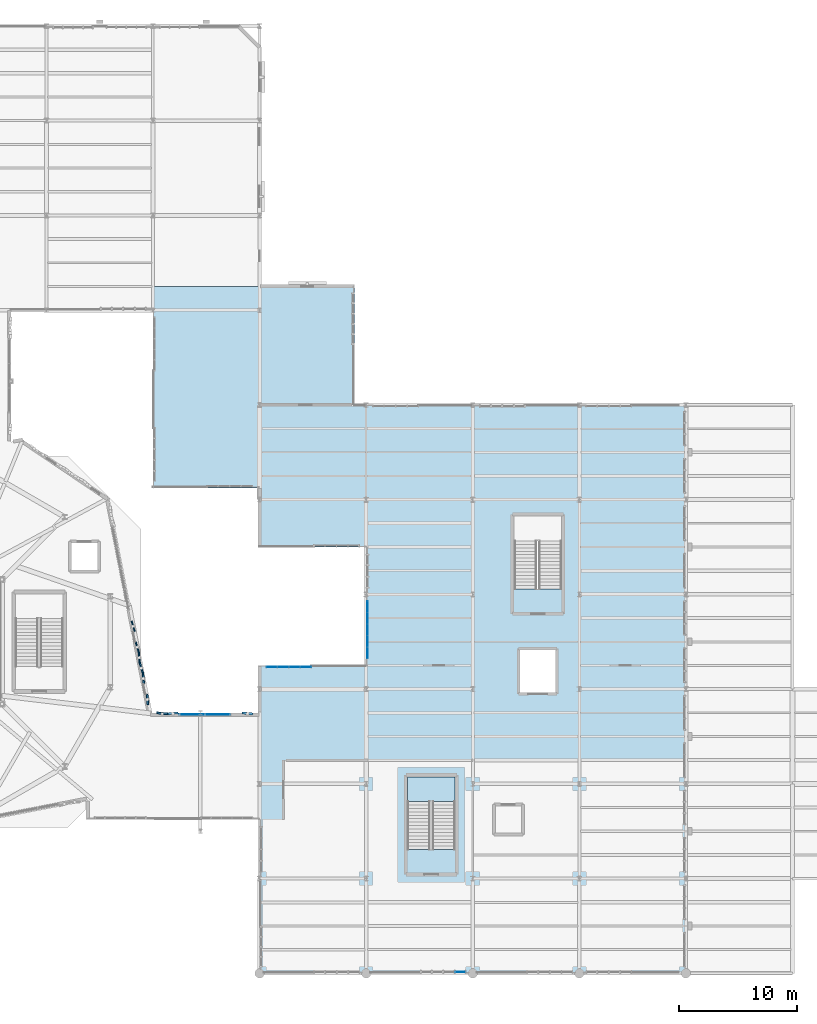
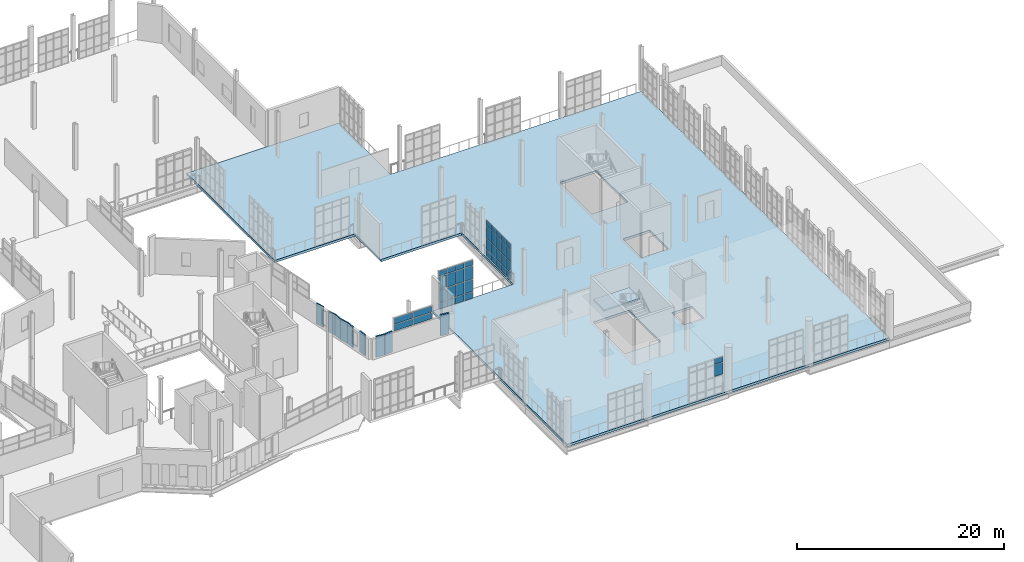
# One storey, part 107 of 142: 51 plates, 2 slabs, 5 elements without a shape of their own.
"""IFC4 building model written with IfcOpenShell, lengths in metres."""

import ifcopenshell
import ifcopenshell.guid

model = None  # the IFC model being written
_history = None  # IfcOwnerHistory: only IFC2X3 demands one
_inside = {}  # id of a spatial element -> (the spatial element, [elements in it])
_under = {}  # id of a project, library or spatial element -> (it, [spatial elements below it])
_declared = {}  # id of a project -> (the project, [libraries it declares])
_typed = {}  # id of a type object -> (the type object, [elements of that type])
_made_of = {}  # id of a material, layer set ... -> (it, [elements and type objects made of it])


def new_model(schema):
    """Start an empty IFC model of exactly this schema.

    Asked for "IFC4X3", IfcOpenShell would pick the latest addendum, in which some entities
    have other attributes; the version numbers below select the first issue.
    IFC2X3 requires an IfcOwnerHistory on every rooted entity: one is made here for all.
    """
    global model, _history
    if schema == "IFC4X3":
        model = ifcopenshell.file(schema_version=(4, 3, 0, 0))
    else:
        model = ifcopenshell.file(schema=schema)
    _inside.clear()
    _under.clear()
    _declared.clear()
    _typed.clear()
    _made_of.clear()
    _history = None
    if model.schema == "IFC2X3":
        org = make("IfcOrganization", Name="unknown")
        user = make(
            "IfcPersonAndOrganization",
            ThePerson=make("IfcPerson", FamilyName="unknown"),
            TheOrganization=org,
        )
        app = make(
            "IfcApplication",
            ApplicationDeveloper=org,
            Version="unknown",
            ApplicationFullName="unknown",
            ApplicationIdentifier="unknown",
        )
        _history = make(
            "IfcOwnerHistory",
            OwningUser=user,
            OwningApplication=app,
            ChangeAction="ADDED",
            CreationDate=0,
        )
    return model


def make(cls, **values):
    """One entity of the class cls with the attributes given. An attribute that is None is left unset."""
    return model.create_entity(
        cls, **{name: value for name, value in values.items() if value is not None}
    )


def rooted(cls, **values):
    """An entity with a GlobalId (a new one), such as an element, a storey or a relation."""
    return make(cls, GlobalId=ifcopenshell.guid.new(), OwnerHistory=_history, **values)


def si_unit(unit_type, name, prefix=None):
    """IfcSIUnit, for example si_unit("LENGTHUNIT", "METRE", prefix="MILLI")."""
    return make("IfcSIUnit", UnitType=unit_type, Prefix=prefix, Name=name)


def assignment(units):
    """IfcUnitAssignment: the units of a project."""
    return None if units is None else make("IfcUnitAssignment", Units=units)


def point(xyz):
    """IfcCartesianPoint."""
    return None if xyz is None else make("IfcCartesianPoint", Coordinates=xyz)


def direction(xyz):
    """IfcDirection."""
    return None if xyz is None else make("IfcDirection", DirectionRatios=xyz)


def frame(location, z_axis=None, x_axis=None):
    """IfcAxis2Placement3D, a coordinate frame: its origin and axes. An axis left out is left unset."""
    return make(
        "IfcAxis2Placement3D",
        Location=point(location),
        Axis=direction(z_axis),
        RefDirection=direction(x_axis),
    )


def frame_2d(location, x_axis=None):
    """IfcAxis2Placement2D, a coordinate frame in the plane: its origin and x axis."""
    return make(
        "IfcAxis2Placement2D", Location=point(location), RefDirection=direction(x_axis)
    )


def origin():
    """The frame at (0, 0, 0) with its axes left unset."""
    return frame((0.0, 0.0, 0.0))


def origin_2d():
    """The frame at (0, 0) in the plane with its x axis left unset."""
    return frame_2d((0.0, 0.0))


def place(relative_to, where):
    """IfcLocalPlacement: puts the frame where relative to a parent placement (None: the world)."""
    return make(
        "IfcLocalPlacement", PlacementRelTo=relative_to, RelativePlacement=where
    )


def context(
    kind, dimensions, precision=None, world=None, true_north=None, identifier=None
):
    """IfcGeometricRepresentationContext, for example the 3D "Model" context."""
    return make(
        "IfcGeometricRepresentationContext",
        ContextIdentifier=identifier,
        ContextType=kind,
        CoordinateSpaceDimension=dimensions,
        Precision=precision,
        WorldCoordinateSystem=world,
        TrueNorth=true_north,
    )


def subcontext(parent, identifier, kind, view, scale=None):
    """IfcGeometricRepresentationSubContext, for example "Body" below "Model"."""
    return make(
        "IfcGeometricRepresentationSubContext",
        ContextIdentifier=identifier,
        ContextType=kind,
        ParentContext=parent,
        TargetScale=scale,
        TargetView=view,
    )


def project(units=None, contexts=None):
    """IfcProject with its units and contexts."""
    return rooted(
        "IfcProject",
        Name="project",
        RepresentationContexts=contexts,
        UnitsInContext=assignment(units),
    )


def spatial(cls, under=None, at=None, **own):
    """A site, building, storey or space (cls), placed at a placement, below another one or the project."""
    s = rooted(cls, ObjectPlacement=at, **own)
    if under is not None:
        _under.setdefault(under.id(), (under, []))[1].append(s)
    return s


def polyline(points):
    """IfcPolyline through the points."""
    return make("IfcPolyline", Points=[point(p) for p in points])


def profile(cls, at=None, kind="AREA", **sizes):
    """A parametric profile (cls). Its sizes go by their IFC names, for example OverallWidth=200.0."""
    return make(cls, ProfileType=kind, Position=at, **sizes)


def rectangle(**sizes):
    """IfcRectangleProfileDef."""
    return profile("IfcRectangleProfileDef", **sizes)


def outline(outer, holes=None, kind="AREA"):
    """IfcArbitraryClosedProfileDef: a profile drawn as a closed curve; with holes, ...WithVoids."""
    if holes is None:
        return make("IfcArbitraryClosedProfileDef", ProfileType=kind, OuterCurve=outer)
    return make(
        "IfcArbitraryProfileDefWithVoids",
        ProfileType=kind,
        OuterCurve=outer,
        InnerCurves=holes,
    )


def extrude(swept, where, along, depth):
    """IfcExtrudedAreaSolid: the profile swept, set in the frame where, extruded along a direction by depth."""
    return make(
        "IfcExtrudedAreaSolid",
        SweptArea=swept,
        Position=where,
        ExtrudedDirection=direction(along),
        Depth=depth,
    )


def shape(context_of_items, identifier, shape_type, items):
    """IfcShapeRepresentation: the items that make up one representation, for example the "Body"."""
    return make(
        "IfcShapeRepresentation",
        ContextOfItems=context_of_items,
        RepresentationIdentifier=identifier,
        RepresentationType=shape_type,
        Items=items,
    )


def material(Name=None, Category=None):
    """IfcMaterial."""
    return make("IfcMaterial", Name=Name, Category=Category)


def layer(
    of_material, thickness, ventilated=None, Name=None, Category=None, Priority=None
):
    """IfcMaterialLayer: one layer of a wall or slab, of a material (None: an air gap)."""
    return make(
        "IfcMaterialLayer",
        Material=of_material,
        LayerThickness=thickness,
        IsVentilated=ventilated,
        Name=Name,
        Category=Category,
        Priority=Priority,
    )


def layer_set(layers, Name=None):
    """IfcMaterialLayerSet."""
    return make("IfcMaterialLayerSet", MaterialLayers=layers, LayerSetName=Name)


def made_of(thing, what):
    """Note that an element or type object is made of a material, layer set ...; save() writes the relation."""
    if what is not None:
        _made_of.setdefault(what.id(), (what, []))[1].append(thing)
    return thing


def type_object(cls, material=None, **own):
    """A type object (cls), such as IfcWallType, which elements share."""
    return made_of(rooted(cls, **own), material)


def element(
    cls,
    number,
    at=None,
    inside=None,
    cuts=None,
    type_object=None,
    material=None,
    context=None,
    identifier="Body",
    shape_type=None,
    held_by="IfcProductDefinitionShape",
    body=None,
    shapes=None,
    **own,
):
    """One element of the class cls, such as IfcWall. Its Tag is "e" and its number.

    at: its placement. inside: the storey or other place that contains it. cuts: it is an
    opening in that element (IfcRelVoidsElement). A single representation is given by context,
    identifier, shape_type and body (its items); several are given by shapes. held_by: the class
    of the entity that holds the representations. save() writes the other relations.
    """
    e = rooted(cls, Tag="e%d" % number, ObjectPlacement=at, **own)
    if body is not None:
        shapes = [shape(context, identifier, shape_type, body)]
    if shapes is not None:
        e.Representation = make(held_by, Representations=shapes)
    if inside is not None:
        _inside.setdefault(inside.id(), (inside, []))[1].append(e)
    if cuts is not None:
        rooted(
            "IfcRelVoidsElement", RelatingBuildingElement=cuts, RelatedOpeningElement=e
        )
    if type_object is not None:
        _typed.setdefault(type_object.id(), (type_object, []))[1].append(e)
    return made_of(e, material)


def aggregate(whole, parts):
    """IfcRelAggregates: a whole, such as a stair, and the parts it consists of."""
    return rooted("IfcRelAggregates", RelatingObject=whole, RelatedObjects=parts)


def save(model, path):
    """Write the relations noted so far, then the file.

    IfcRelAggregates (storeys below a building ...), IfcRelContainedInSpatialStructure (elements
    in a storey), IfcRelDefinesByType, IfcRelAssociatesMaterial and IfcRelDeclares: one each for
    every whole, place, type object, material and project.
    """
    for whole, parts in _under.values():
        aggregate(whole, parts)
    for where, things in _inside.values():
        rooted(
            "IfcRelContainedInSpatialStructure",
            RelatedElements=things,
            RelatingStructure=where,
        )
    for kind, things in _typed.values():
        rooted("IfcRelDefinesByType", RelatedObjects=things, RelatingType=kind)
    for what, things in _made_of.values():
        rooted("IfcRelAssociatesMaterial", RelatedObjects=things, RelatingMaterial=what)
    for by, libraries in _declared.values():
        rooted("IfcRelDeclares", RelatingContext=by, RelatedDefinitions=libraries)
    model.write(path)


model = new_model("IFC4")

# Units and contexts
model_context = context("Model", 3, precision=1e-05, world=origin(), true_north=direction((0.0, 1.0)))
body_context = subcontext(model_context, "Body", "Model", "MODEL_VIEW")
ifc_project = project(units=[si_unit("LENGTHUNIT", "METRE"), si_unit("AREAUNIT", "SQUARE_METRE"), si_unit("VOLUMEUNIT", "CUBIC_METRE"), si_unit("PLANEANGLEUNIT", "RADIAN"), si_unit("MASSUNIT", "GRAM", prefix="KILO"), si_unit("THERMODYNAMICTEMPERATUREUNIT", "KELVIN"), si_unit("POWERUNIT", "WATT")], contexts=[model_context])

# Site, building, storey
site_placement = place(None, origin())
site = spatial("IfcSite", under=ifc_project, at=site_placement, CompositionType="ELEMENT")
building_placement = place(site_placement, origin())
building = spatial("IfcBuilding", under=site, at=building_placement, Name="Zelmaris Science Centre", CompositionType="ELEMENT")
storey_placement = place(building_placement, frame((0.0, 0.0, 5.39990234375)))
storey = spatial("IfcBuildingStorey", under=building, at=storey_placement, Name="L01", CompositionType="ELEMENT", Elevation=5.39990234375)

# Curtain wall, plates
ifc_material_1 = material(Name="Anodised architectural aluminium 6063-T6", Category="aluminium")
ifc_layer_1 = layer(ifc_material_1, 0.18994140625, Name="Anodised architectural aluminium 6063-T6")
ifc_layer_set_1 = layer_set([ifc_layer_1], Name="Anodised architectural aluminium 6063-T6")
curtain_wall_type_1 = type_object("IfcCurtainWallType", Name="Curtain Wall CW-01", PredefinedType="USERDEFINED", material=ifc_layer_set_1)
curtain_wall_1_placement = place(storey_placement, origin())
curtain_wall_1 = element("IfcCurtainWall", 1, at=curtain_wall_1_placement, inside=storey, type_object=curtain_wall_type_1, Name="L01 Unitised curtain wall 165", ObjectType="GLAZED CURTAIN WALL", PredefinedType="USERDEFINED")
ifc_material_2 = material(Name="Laminated hurricane-rated low-E insulated glazing", Category="glass")
ifc_layer_2 = layer(ifc_material_2, 0.031982421875, Name="Laminated hurricane-rated low-E insulated glazing")
ifc_layer_set_2 = layer_set([ifc_layer_2], Name="Laminated hurricane-rated low-E insulated glazing")
plate_type_1 = type_object("IfcPlateType", Name="Curtain Glazing Panel CWP-1 32mm", PredefinedType="CURTAIN_PANEL", material=ifc_layer_set_2)
plate_1_placement = place(storey_placement, frame((124.95458984375, 8.1201171875, 2.1630859375), z_axis=(0.0, 0.0, 1.0), x_axis=(-1.0, 0.0, 0.0)))
plate_1 = element("IfcPlate", 2, at=plate_1_placement, type_object=plate_type_1, Name="CW-01 panel 1.3", PredefinedType="CURTAIN_PANEL", context=body_context, shape_type="SweptSolid", body=[
    extrude(rectangle(XDim=0.866943359375, YDim=0.031982421875, at=origin_2d()), origin(), (0.0, 0.0, 1.0), 1.3701171875),
])
plate_2_placement = place(storey_placement, frame((124.95458984375, 8.1201171875, 3.60498046875), z_axis=(0.0, 0.0, 1.0), x_axis=(-1.0, 0.0, 0.0)))
plate_2 = element("IfcPlate", 3, at=plate_2_placement, type_object=plate_type_1, Name="CW-01 panel 1.4", PredefinedType="CURTAIN_PANEL", context=body_context, shape_type="SweptSolid", body=[
    extrude(rectangle(XDim=0.866943359375, YDim=0.031982421875, at=origin_2d()), origin(), (0.0, 0.0, 1.0), 0.592041015625),
])
aggregate(curtain_wall_1, [plate_1, plate_2])

curtain_wall_2_placement = place(storey_placement, origin())
curtain_wall_2 = element("IfcCurtainWall", 4, at=curtain_wall_2_placement, inside=storey, type_object=curtain_wall_type_1, Name="L01 Clerestory curtain wall 177", ObjectType="GLAZED CURTAIN WALL", PredefinedType="USERDEFINED")
plate_3_placement = place(storey_placement, frame((102.311279296875, 29.8466796875, 2.4921875), z_axis=(0.0, 0.0, 1.0), x_axis=(0.999999513372, -0.0009865376, 0.0)))
plate_3 = element("IfcPlate", 5, at=plate_3_placement, type_object=plate_type_1, Name="CW-01 panel 1.1", PredefinedType="CURTAIN_PANEL", context=body_context, shape_type="SweptSolid", body=[
    extrude(rectangle(XDim=2.064208984375, YDim=0.031982421875, at=origin_2d()), origin(), (0.0, 0.0, 1.0), 0.723388671875),
])
plate_4_placement = place(storey_placement, frame((102.311279296875, 29.8466796875, 3.28759765625), z_axis=(0.0, 0.0, 1.0), x_axis=(0.999999513372, -0.0009865376, 0.0)))
plate_4 = element("IfcPlate", 6, at=plate_4_placement, type_object=plate_type_1, Name="CW-01 panel 1.2", PredefinedType="CURTAIN_PANEL", context=body_context, shape_type="SweptSolid", body=[
    extrude(rectangle(XDim=2.064208984375, YDim=0.031982421875, at=origin_2d()), origin(), (0.0, 0.0, 1.0), 0.723388671875),
])
plate_5_placement = place(storey_placement, frame((104.447509765625, 29.8447265625, 2.4921875), z_axis=(0.0, 0.0, 1.0), x_axis=(0.999999513372, -0.0009865376, 0.0)))
plate_5 = element("IfcPlate", 7, at=plate_5_placement, type_object=plate_type_1, Name="CW-01 panel 2.1", PredefinedType="CURTAIN_PANEL", context=body_context, shape_type="SweptSolid", body=[
    extrude(rectangle(XDim=2.064208984375, YDim=0.031982421875, at=origin_2d()), origin(), (0.0, 0.0, 1.0), 0.723388671875),
])
plate_6_placement = place(storey_placement, frame((104.447509765625, 29.8447265625, 3.28759765625), z_axis=(0.0, 0.0, 1.0), x_axis=(0.999999513372, -0.0009865376, 0.0)))
plate_6 = element("IfcPlate", 8, at=plate_6_placement, type_object=plate_type_1, Name="CW-01 panel 2.2", PredefinedType="CURTAIN_PANEL", context=body_context, shape_type="SweptSolid", body=[
    extrude(rectangle(XDim=2.064208984375, YDim=0.031982421875, at=origin_2d()), origin(), (0.0, 0.0, 1.0), 0.723388671875),
])
aggregate(curtain_wall_2, [plate_3, plate_4, plate_5, plate_6])

ifc_layer_3 = layer(ifc_material_1, 0.199951171875, Name="Anodised architectural aluminium 6063-T6")
ifc_layer_set_3 = layer_set([ifc_layer_3], Name="Anodised architectural aluminium 6063-T6")
curtain_wall_type_2 = type_object("IfcCurtainWallType", Name="Curtain Wall CW-02", PredefinedType="USERDEFINED", material=ifc_layer_set_3)
curtain_wall_3_placement = place(storey_placement, origin())
curtain_wall_3 = element("IfcCurtainWall", 9, at=curtain_wall_3_placement, inside=storey, type_object=curtain_wall_type_2, Name="L01 Unitised curtain wall 178", ObjectType="GLAZED CURTAIN WALL", PredefinedType="USERDEFINED")
ifc_layer_4 = layer(ifc_material_2, 0.028076171875, Name="Laminated hurricane-rated low-E insulated glazing")
ifc_layer_set_4 = layer_set([ifc_layer_4], Name="Laminated hurricane-rated low-E insulated glazing")
plate_type_2 = type_object("IfcPlateType", Name="Curtain Glazing Panel CWP-2 28mm", PredefinedType="CURTAIN_PANEL", material=ifc_layer_set_4)
plate_7_placement = place(storey_placement, frame((109.04052734375, 33.8798828125, 0.052001953125), z_axis=(0.0, 0.0, 1.0), x_axis=(0.999999999666, 2.5840455e-05, 0.0)))
plate_7 = element("IfcPlate", 10, at=plate_7_placement, type_object=plate_type_2, Name="CW-02 panel 1.1", PredefinedType="CURTAIN_PANEL", context=body_context, shape_type="SweptSolid", body=[
    extrude(rectangle(XDim=0.866943359375, YDim=0.028076171875, at=origin_2d()), origin(), (0.0, 0.0, 1.0), 0.74951171875),
])
plate_8_placement = place(storey_placement, frame((109.04052734375, 33.8798828125, 0.86865234375), z_axis=(0.0, 0.0, 1.0), x_axis=(0.999999999666, 2.5840455e-05, 0.0)))
plate_8 = element("IfcPlate", 11, at=plate_8_placement, type_object=plate_type_2, Name="CW-02 panel 1.2", PredefinedType="CURTAIN_PANEL", context=body_context, shape_type="SweptSolid", body=[
    extrude(rectangle(XDim=0.866943359375, YDim=0.028076171875, at=origin_2d()), origin(), (0.0, 0.0, 1.0), 1.400390625),
])
plate_9_placement = place(storey_placement, frame((109.04052734375, 33.8798828125, 2.3359375), z_axis=(0.0, 0.0, 1.0), x_axis=(0.999999999666, 2.5840455e-05, 0.0)))
plate_9 = element("IfcPlate", 12, at=plate_9_placement, type_object=plate_type_2, Name="CW-02 panel 1.3", PredefinedType="CURTAIN_PANEL", context=body_context, shape_type="SweptSolid", body=[
    extrude(rectangle(XDim=0.866943359375, YDim=0.028076171875, at=origin_2d()), origin(), (0.0, 0.0, 1.0), 1.550537109375),
])
plate_10_placement = place(storey_placement, frame((109.04052734375, 33.8798828125, 3.95361328125), z_axis=(0.0, 0.0, 1.0), x_axis=(0.999999999666, 2.5840455e-05, 0.0)))
plate_10 = element("IfcPlate", 13, at=plate_10_placement, type_object=plate_type_2, Name="CW-02 panel 1.4", PredefinedType="CURTAIN_PANEL", context=body_context, shape_type="SweptSolid", body=[
    extrude(rectangle(XDim=0.866943359375, YDim=0.028076171875, at=origin_2d()), origin(), (0.0, 0.0, 1.0), 0.599609375),
])
plate_11_placement = place(storey_placement, frame((109.9912109375, 33.8798828125, 0.052001953125), z_axis=(0.0, 0.0, 1.0), x_axis=(0.999999999666, 2.5840455e-05, 0.0)))
plate_11 = element("IfcPlate", 14, at=plate_11_placement, type_object=plate_type_2, Name="CW-02 panel 2.1", PredefinedType="CURTAIN_PANEL", context=body_context, shape_type="SweptSolid", body=[
    extrude(rectangle(XDim=0.900390625, YDim=0.028076171875, at=origin_2d()), origin(), (0.0, 0.0, 1.0), 0.74951171875),
])
plate_12_placement = place(storey_placement, frame((109.9912109375, 33.8798828125, 0.86865234375), z_axis=(0.0, 0.0, 1.0), x_axis=(0.999999999666, 2.5840455e-05, 0.0)))
plate_12 = element("IfcPlate", 15, at=plate_12_placement, type_object=plate_type_2, Name="CW-02 panel 2.2", PredefinedType="CURTAIN_PANEL", context=body_context, shape_type="SweptSolid", body=[
    extrude(rectangle(XDim=0.900390625, YDim=0.028076171875, at=origin_2d()), origin(), (0.0, 0.0, 1.0), 1.400390625),
])
plate_13_placement = place(storey_placement, frame((109.9912109375, 33.8798828125, 2.3359375), z_axis=(0.0, 0.0, 1.0), x_axis=(0.999999999666, 2.5840455e-05, 0.0)))
plate_13 = element("IfcPlate", 16, at=plate_13_placement, type_object=plate_type_2, Name="CW-02 panel 2.3", PredefinedType="CURTAIN_PANEL", context=body_context, shape_type="SweptSolid", body=[
    extrude(rectangle(XDim=0.900390625, YDim=0.028076171875, at=origin_2d()), origin(), (0.0, 0.0, 1.0), 1.550537109375),
])
plate_14_placement = place(storey_placement, frame((109.9912109375, 33.8798828125, 3.95361328125), z_axis=(0.0, 0.0, 1.0), x_axis=(0.999999999666, 2.5840455e-05, 0.0)))
plate_14 = element("IfcPlate", 17, at=plate_14_placement, type_object=plate_type_2, Name="CW-02 panel 2.4", PredefinedType="CURTAIN_PANEL", context=body_context, shape_type="SweptSolid", body=[
    extrude(rectangle(XDim=0.900390625, YDim=0.028076171875, at=origin_2d()), origin(), (0.0, 0.0, 1.0), 0.599609375),
])
plate_15_placement = place(storey_placement, frame((110.958740234375, 33.8798828125, 0.052001953125), z_axis=(0.0, 0.0, 1.0), x_axis=(0.999999999666, 2.5840455e-05, 0.0)))
plate_15 = element("IfcPlate", 18, at=plate_15_placement, type_object=plate_type_2, Name="CW-02 panel 3.1", PredefinedType="CURTAIN_PANEL", context=body_context, shape_type="SweptSolid", body=[
    extrude(rectangle(XDim=0.900390625, YDim=0.028076171875, at=origin_2d()), origin(), (0.0, 0.0, 1.0), 0.74951171875),
])
plate_16_placement = place(storey_placement, frame((110.958740234375, 33.8798828125, 0.86865234375), z_axis=(0.0, 0.0, 1.0), x_axis=(0.999999999666, 2.5840455e-05, 0.0)))
plate_16 = element("IfcPlate", 19, at=plate_16_placement, type_object=plate_type_2, Name="CW-02 panel 3.2", PredefinedType="CURTAIN_PANEL", context=body_context, shape_type="SweptSolid", body=[
    extrude(rectangle(XDim=0.900390625, YDim=0.028076171875, at=origin_2d()), origin(), (0.0, 0.0, 1.0), 1.400390625),
])
plate_17_placement = place(storey_placement, frame((110.958740234375, 33.8798828125, 2.3359375), z_axis=(0.0, 0.0, 1.0), x_axis=(0.999999999666, 2.5840455e-05, 0.0)))
plate_17 = element("IfcPlate", 20, at=plate_17_placement, type_object=plate_type_2, Name="CW-02 panel 3.3", PredefinedType="CURTAIN_PANEL", context=body_context, shape_type="SweptSolid", body=[
    extrude(rectangle(XDim=0.900390625, YDim=0.028076171875, at=origin_2d()), origin(), (0.0, 0.0, 1.0), 1.550537109375),
])
plate_18_placement = place(storey_placement, frame((110.958740234375, 33.8798828125, 3.95361328125), z_axis=(0.0, 0.0, 1.0), x_axis=(0.999999999666, 2.5840455e-05, 0.0)))
plate_18 = element("IfcPlate", 21, at=plate_18_placement, type_object=plate_type_2, Name="CW-02 panel 3.4", PredefinedType="CURTAIN_PANEL", context=body_context, shape_type="SweptSolid", body=[
    extrude(rectangle(XDim=0.900390625, YDim=0.028076171875, at=origin_2d()), origin(), (0.0, 0.0, 1.0), 0.599609375),
])
plate_19_placement = place(storey_placement, frame((111.909423828125, 33.8798828125, 0.052001953125), z_axis=(0.0, 0.0, 1.0), x_axis=(0.999999999666, 2.5840455e-05, 0.0)))
plate_19 = element("IfcPlate", 22, at=plate_19_placement, type_object=plate_type_2, Name="CW-02 panel 4.1", PredefinedType="CURTAIN_PANEL", context=body_context, shape_type="SweptSolid", body=[
    extrude(rectangle(XDim=0.866943359375, YDim=0.028076171875, at=origin_2d()), origin(), (0.0, 0.0, 1.0), 0.74951171875),
])
plate_20_placement = place(storey_placement, frame((111.909423828125, 33.8798828125, 0.86865234375), z_axis=(0.0, 0.0, 1.0), x_axis=(0.999999999666, 2.5840455e-05, 0.0)))
plate_20 = element("IfcPlate", 23, at=plate_20_placement, type_object=plate_type_2, Name="CW-02 panel 4.2", PredefinedType="CURTAIN_PANEL", context=body_context, shape_type="SweptSolid", body=[
    extrude(rectangle(XDim=0.866943359375, YDim=0.028076171875, at=origin_2d()), origin(), (0.0, 0.0, 1.0), 1.400390625),
])
plate_21_placement = place(storey_placement, frame((111.909423828125, 33.8798828125, 2.3359375), z_axis=(0.0, 0.0, 1.0), x_axis=(0.999999999666, 2.5840455e-05, 0.0)))
plate_21 = element("IfcPlate", 24, at=plate_21_placement, type_object=plate_type_2, Name="CW-02 panel 4.3", PredefinedType="CURTAIN_PANEL", context=body_context, shape_type="SweptSolid", body=[
    extrude(rectangle(XDim=0.866943359375, YDim=0.028076171875, at=origin_2d()), origin(), (0.0, 0.0, 1.0), 1.550537109375),
])
plate_22_placement = place(storey_placement, frame((111.909423828125, 33.8798828125, 3.95361328125), z_axis=(0.0, 0.0, 1.0), x_axis=(0.999999999666, 2.5840455e-05, 0.0)))
plate_22 = element("IfcPlate", 25, at=plate_22_placement, type_object=plate_type_2, Name="CW-02 panel 4.4", PredefinedType="CURTAIN_PANEL", context=body_context, shape_type="SweptSolid", body=[
    extrude(rectangle(XDim=0.866943359375, YDim=0.028076171875, at=origin_2d()), origin(), (0.0, 0.0, 1.0), 0.599609375),
])
aggregate(curtain_wall_3, [plate_7, plate_8, plate_9, plate_10, plate_11, plate_12, plate_13, plate_14, plate_15, plate_16, plate_17, plate_18, plate_19, plate_20, plate_21, plate_22])

ifc_layer_5 = layer(ifc_material_1, 0.219970703125, Name="Anodised architectural aluminium 6063-T6")
ifc_layer_set_5 = layer_set([ifc_layer_5], Name="Anodised architectural aluminium 6063-T6")
curtain_wall_type_3 = type_object("IfcCurtainWallType", Name="Curtain Wall CW-04", PredefinedType="USERDEFINED", material=ifc_layer_set_5)
curtain_wall_4_placement = place(storey_placement, origin())
curtain_wall_4 = element("IfcCurtainWall", 26, at=curtain_wall_4_placement, inside=storey, type_object=curtain_wall_type_3, Name="L01 Unitised curtain wall 180", ObjectType="GLAZED CURTAIN WALL", PredefinedType="USERDEFINED")
ifc_layer_6 = layer(ifc_material_2, 0.02392578125, Name="Laminated hurricane-rated low-E insulated glazing")
ifc_layer_set_6 = layer_set([ifc_layer_6], Name="Laminated hurricane-rated low-E insulated glazing")
plate_type_3 = type_object("IfcPlateType", Name="Curtain Glazing Panel CWP-4 24mm", PredefinedType="CURTAIN_PANEL", material=ifc_layer_set_6)
plate_23_placement = place(storey_placement, frame((117.11083984375, 35.06884765625, 0.037109375), z_axis=(0.0, 0.0, 1.0), x_axis=(0.001021804788, 0.999999477957, 0.0)))
plate_23 = element("IfcPlate", 27, at=plate_23_placement, type_object=plate_type_3, Name="CW-04 panel 1.1", PredefinedType="CURTAIN_PANEL", context=body_context, shape_type="SweptSolid", body=[
    extrude(rectangle(XDim=0.900634765625, YDim=0.02392578125, at=origin_2d()), origin(), (0.0, 0.0, 1.0), 0.77197265625),
])
plate_24_placement = place(storey_placement, frame((117.11083984375, 35.06884765625, 0.86083984375), z_axis=(0.0, 0.0, 1.0), x_axis=(0.001021804788, 0.999999477957, 0.0)))
plate_24 = element("IfcPlate", 28, at=plate_24_placement, type_object=plate_type_3, Name="CW-04 panel 1.2", PredefinedType="CURTAIN_PANEL", context=body_context, shape_type="SweptSolid", body=[
    extrude(rectangle(XDim=0.900634765625, YDim=0.02392578125, at=origin_2d()), origin(), (0.0, 0.0, 1.0), 1.279541015625),
])
plate_25_placement = place(storey_placement, frame((117.11083984375, 35.06884765625, 2.1923828125), z_axis=(0.0, 0.0, 1.0), x_axis=(0.001021804788, 0.999999477957, 0.0)))
plate_25 = element("IfcPlate", 29, at=plate_25_placement, type_object=plate_type_3, Name="CW-04 panel 1.3", PredefinedType="CURTAIN_PANEL", context=body_context, shape_type="SweptSolid", body=[
    extrude(rectangle(XDim=0.900634765625, YDim=0.02392578125, at=origin_2d()), origin(), (0.0, 0.0, 1.0), 1.429443359375),
])
plate_26_placement = place(storey_placement, frame((117.11083984375, 35.06884765625, 3.674072265625), z_axis=(0.0, 0.0, 1.0), x_axis=(0.001021804788, 0.999999477957, 0.0)))
plate_26 = element("IfcPlate", 30, at=plate_26_placement, type_object=plate_type_3, Name="CW-04 panel 1.4", PredefinedType="CURTAIN_PANEL", context=body_context, shape_type="SweptSolid", body=[
    extrude(rectangle(XDim=0.900634765625, YDim=0.02392578125, at=origin_2d()), origin(), (0.0, 0.0, 1.0), 0.6220703125),
])
plate_27_placement = place(storey_placement, frame((117.11181640625, 36.03466796875, 0.037109375), z_axis=(0.0, 0.0, 1.0), x_axis=(0.001021804788, 0.999999477957, 0.0)))
plate_27 = element("IfcPlate", 31, at=plate_27_placement, type_object=plate_type_3, Name="CW-04 panel 2.1", PredefinedType="CURTAIN_PANEL", context=body_context, shape_type="SweptSolid", body=[
    extrude(rectangle(XDim=0.9267578125, YDim=0.02392578125, at=origin_2d()), origin(), (0.0, 0.0, 1.0), 0.77197265625),
])
plate_28_placement = place(storey_placement, frame((117.11181640625, 36.03466796875, 0.86083984375), z_axis=(0.0, 0.0, 1.0), x_axis=(0.001021804788, 0.999999477957, 0.0)))
plate_28 = element("IfcPlate", 32, at=plate_28_placement, type_object=plate_type_3, Name="CW-04 panel 2.2", PredefinedType="CURTAIN_PANEL", context=body_context, shape_type="SweptSolid", body=[
    extrude(rectangle(XDim=0.9267578125, YDim=0.02392578125, at=origin_2d()), origin(), (0.0, 0.0, 1.0), 1.279541015625),
])
plate_29_placement = place(storey_placement, frame((117.11181640625, 36.03466796875, 2.1923828125), z_axis=(0.0, 0.0, 1.0), x_axis=(0.001021804788, 0.999999477957, 0.0)))
plate_29 = element("IfcPlate", 33, at=plate_29_placement, type_object=plate_type_3, Name="CW-04 panel 2.3", PredefinedType="CURTAIN_PANEL", context=body_context, shape_type="SweptSolid", body=[
    extrude(rectangle(XDim=0.9267578125, YDim=0.02392578125, at=origin_2d()), origin(), (0.0, 0.0, 1.0), 1.429443359375),
])
plate_30_placement = place(storey_placement, frame((117.11181640625, 36.03466796875, 3.674072265625), z_axis=(0.0, 0.0, 1.0), x_axis=(0.001021804788, 0.999999477957, 0.0)))
plate_30 = element("IfcPlate", 34, at=plate_30_placement, type_object=plate_type_3, Name="CW-04 panel 2.4", PredefinedType="CURTAIN_PANEL", context=body_context, shape_type="SweptSolid", body=[
    extrude(rectangle(XDim=0.9267578125, YDim=0.02392578125, at=origin_2d()), origin(), (0.0, 0.0, 1.0), 0.6220703125),
])
plate_31_placement = place(storey_placement, frame((117.11279296875, 37.01318359375, 0.037109375), z_axis=(0.0, 0.0, 1.0), x_axis=(0.001021804788, 0.999999477957, 0.0)))
plate_31 = element("IfcPlate", 35, at=plate_31_placement, type_object=plate_type_3, Name="CW-04 panel 3.1", PredefinedType="CURTAIN_PANEL", context=body_context, shape_type="SweptSolid", body=[
    extrude(rectangle(XDim=0.9267578125, YDim=0.02392578125, at=origin_2d()), origin(), (0.0, 0.0, 1.0), 0.77197265625),
])
plate_32_placement = place(storey_placement, frame((117.11279296875, 37.01318359375, 0.86083984375), z_axis=(0.0, 0.0, 1.0), x_axis=(0.001021804788, 0.999999477957, 0.0)))
plate_32 = element("IfcPlate", 36, at=plate_32_placement, type_object=plate_type_3, Name="CW-04 panel 3.2", PredefinedType="CURTAIN_PANEL", context=body_context, shape_type="SweptSolid", body=[
    extrude(rectangle(XDim=0.9267578125, YDim=0.02392578125, at=origin_2d()), origin(), (0.0, 0.0, 1.0), 1.279541015625),
])
plate_33_placement = place(storey_placement, frame((117.11279296875, 37.01318359375, 2.1923828125), z_axis=(0.0, 0.0, 1.0), x_axis=(0.001021804788, 0.999999477957, 0.0)))
plate_33 = element("IfcPlate", 37, at=plate_33_placement, type_object=plate_type_3, Name="CW-04 panel 3.3", PredefinedType="CURTAIN_PANEL", context=body_context, shape_type="SweptSolid", body=[
    extrude(rectangle(XDim=0.9267578125, YDim=0.02392578125, at=origin_2d()), origin(), (0.0, 0.0, 1.0), 1.429443359375),
])
plate_34_placement = place(storey_placement, frame((117.11279296875, 37.01318359375, 3.674072265625), z_axis=(0.0, 0.0, 1.0), x_axis=(0.001021804788, 0.999999477957, 0.0)))
plate_34 = element("IfcPlate", 38, at=plate_34_placement, type_object=plate_type_3, Name="CW-04 panel 3.4", PredefinedType="CURTAIN_PANEL", context=body_context, shape_type="SweptSolid", body=[
    extrude(rectangle(XDim=0.9267578125, YDim=0.02392578125, at=origin_2d()), origin(), (0.0, 0.0, 1.0), 0.6220703125),
])
plate_35_placement = place(storey_placement, frame((117.114013671875, 37.991943359375, 0.037109375), z_axis=(0.0, 0.0, 1.0), x_axis=(0.001021804788, 0.999999477957, 0.0)))
plate_35 = element("IfcPlate", 39, at=plate_35_placement, type_object=plate_type_3, Name="CW-04 panel 4.1", PredefinedType="CURTAIN_PANEL", context=body_context, shape_type="SweptSolid", body=[
    extrude(rectangle(XDim=0.9267578125, YDim=0.02392578125, at=origin_2d()), origin(), (0.0, 0.0, 1.0), 0.77197265625),
])
plate_36_placement = place(storey_placement, frame((117.114013671875, 37.991943359375, 0.86083984375), z_axis=(0.0, 0.0, 1.0), x_axis=(0.001021804788, 0.999999477957, 0.0)))
plate_36 = element("IfcPlate", 40, at=plate_36_placement, type_object=plate_type_3, Name="CW-04 panel 4.2", PredefinedType="CURTAIN_PANEL", context=body_context, shape_type="SweptSolid", body=[
    extrude(rectangle(XDim=0.9267578125, YDim=0.02392578125, at=origin_2d()), origin(), (0.0, 0.0, 1.0), 1.279541015625),
])
plate_37_placement = place(storey_placement, frame((117.114013671875, 37.991943359375, 2.1923828125), z_axis=(0.0, 0.0, 1.0), x_axis=(0.001021804788, 0.999999477957, 0.0)))
plate_37 = element("IfcPlate", 41, at=plate_37_placement, type_object=plate_type_3, Name="CW-04 panel 4.3", PredefinedType="CURTAIN_PANEL", context=body_context, shape_type="SweptSolid", body=[
    extrude(rectangle(XDim=0.9267578125, YDim=0.02392578125, at=origin_2d()), origin(), (0.0, 0.0, 1.0), 1.429443359375),
])
plate_38_placement = place(storey_placement, frame((117.114013671875, 37.991943359375, 3.674072265625), z_axis=(0.0, 0.0, 1.0), x_axis=(0.001021804788, 0.999999477957, 0.0)))
plate_38 = element("IfcPlate", 42, at=plate_38_placement, type_object=plate_type_3, Name="CW-04 panel 4.4", PredefinedType="CURTAIN_PANEL", context=body_context, shape_type="SweptSolid", body=[
    extrude(rectangle(XDim=0.9267578125, YDim=0.02392578125, at=origin_2d()), origin(), (0.0, 0.0, 1.0), 0.6220703125),
])
plate_39_placement = place(storey_placement, frame((117.114990234375, 38.95751953125, 0.037109375), z_axis=(0.0, 0.0, 1.0), x_axis=(0.001021804788, 0.999999477957, 0.0)))
plate_39 = element("IfcPlate", 43, at=plate_39_placement, type_object=plate_type_3, Name="CW-04 panel 5.1", PredefinedType="CURTAIN_PANEL", context=body_context, shape_type="SweptSolid", body=[
    extrude(rectangle(XDim=0.900634765625, YDim=0.02392578125, at=origin_2d()), origin(), (0.0, 0.0, 1.0), 0.77197265625),
])
plate_40_placement = place(storey_placement, frame((117.114990234375, 38.95751953125, 0.86083984375), z_axis=(0.0, 0.0, 1.0), x_axis=(0.001021804788, 0.999999477957, 0.0)))
plate_40 = element("IfcPlate", 44, at=plate_40_placement, type_object=plate_type_3, Name="CW-04 panel 5.2", PredefinedType="CURTAIN_PANEL", context=body_context, shape_type="SweptSolid", body=[
    extrude(rectangle(XDim=0.900634765625, YDim=0.02392578125, at=origin_2d()), origin(), (0.0, 0.0, 1.0), 1.279541015625),
])
plate_41_placement = place(storey_placement, frame((117.114990234375, 38.95751953125, 2.1923828125), z_axis=(0.0, 0.0, 1.0), x_axis=(0.001021804788, 0.999999477957, 0.0)))
plate_41 = element("IfcPlate", 45, at=plate_41_placement, type_object=plate_type_3, Name="CW-04 panel 5.3", PredefinedType="CURTAIN_PANEL", context=body_context, shape_type="SweptSolid", body=[
    extrude(rectangle(XDim=0.900634765625, YDim=0.02392578125, at=origin_2d()), origin(), (0.0, 0.0, 1.0), 1.429443359375),
])
plate_42_placement = place(storey_placement, frame((117.114990234375, 38.95751953125, 3.674072265625), z_axis=(0.0, 0.0, 1.0), x_axis=(0.001021804788, 0.999999477957, 0.0)))
plate_42 = element("IfcPlate", 46, at=plate_42_placement, type_object=plate_type_3, Name="CW-04 panel 5.4", PredefinedType="CURTAIN_PANEL", context=body_context, shape_type="SweptSolid", body=[
    extrude(rectangle(XDim=0.900634765625, YDim=0.02392578125, at=origin_2d()), origin(), (0.0, 0.0, 1.0), 0.6220703125),
])
aggregate(curtain_wall_4, [plate_23, plate_24, plate_25, plate_26, plate_27, plate_28, plate_29, plate_30, plate_31, plate_32, plate_33, plate_34, plate_35, plate_36, plate_37, plate_38, plate_39, plate_40, plate_41, plate_42])

# Plates
ifc_material_3 = material(Name="Precast concrete C40/50", Category="concrete")
ifc_layer_7 = layer(ifc_material_3, 0.110107421875, Name="Precast concrete C40/50")
ifc_layer_set_7 = layer_set([ifc_layer_7], Name="Precast concrete C40/50")
plate_type_4 = type_object("IfcPlateType", Name="Precast Facet Panel FP-01 110mm", PredefinedType="SHEET", material=ifc_layer_set_7)
plate_43_placement = place(storey_placement, frame((97.194580078125, 37.7421875, 0.02001953125), z_axis=(0.0, 0.0, 1.0), x_axis=(0.290366882468, -0.956915395197, 0.0)))
element("IfcPlate", 47, at=plate_43_placement, inside=storey, type_object=plate_type_4, Name="L01 Folded precast facet panel 24", PredefinedType="SHEET", context=body_context, shape_type="SweptSolid", body=[
    extrude(rectangle(XDim=0.90478515625, YDim=0.110107421875, at=frame_2d((0.452392578125, 0.0))), origin(), (0.0, 0.0, 1.0), 2.4599609375),
])
ifc_layer_8 = layer(ifc_material_3, 0.1201171875, Name="Precast concrete C40/50")
ifc_layer_set_8 = layer_set([ifc_layer_8], Name="Precast concrete C40/50")
plate_type_5 = type_object("IfcPlateType", Name="Precast Facet Panel FP-02 120mm", PredefinedType="SHEET", material=ifc_layer_set_8)
plate_44_placement = place(storey_placement, frame((97.539794921875, 35.9755859375, 0.02001953125), z_axis=(0.0, 0.0, 1.0), x_axis=(0.290119748224, -0.956990350887, 0.0)))
element("IfcPlate", 48, at=plate_44_placement, inside=storey, type_object=plate_type_5, Name="L01 Folded precast facet panel 25", PredefinedType="SHEET", context=body_context, shape_type="SweptSolid", body=[
    extrude(rectangle(XDim=0.904541015625, YDim=0.1201171875, at=frame_2d((0.4521484375, 0.0))), origin(), (0.0, 0.0, 1.0), 2.4599609375),
])
ifc_layer_9 = layer(ifc_material_3, 0.1298828125, Name="Precast concrete C40/50")
ifc_layer_set_9 = layer_set([ifc_layer_9], Name="Precast concrete C40/50")
plate_type_6 = type_object("IfcPlateType", Name="Precast Facet Panel FP-03 130mm", PredefinedType="SHEET", material=ifc_layer_set_9)
plate_45_placement = place(storey_placement, frame((97.80224609375, 35.10986328125, 0.02001953125), z_axis=(0.0, 0.0, 1.0), x_axis=(0.091484660875, -0.995806485631, 0.0)))
element("IfcPlate", 49, at=plate_45_placement, inside=storey, type_object=plate_type_6, Name="L01 Folded precast facet panel 26", PredefinedType="SHEET", context=body_context, shape_type="SweptSolid", body=[
    extrude(rectangle(XDim=0.90478515625, YDim=0.1298828125, at=frame_2d((0.452392578125, 0.0))), origin(), (0.0, 0.0, 1.0), 2.4599609375),
])
ifc_layer_10 = layer(ifc_material_3, 0.139892578125, Name="Precast concrete C40/50")
ifc_layer_set_10 = layer_set([ifc_layer_10], Name="Precast concrete C40/50")
plate_type_7 = type_object("IfcPlateType", Name="Precast Facet Panel FP-04 140mm", PredefinedType="SHEET", material=ifc_layer_set_10)
plate_46_placement = place(storey_placement, frame((97.885009765625, 34.208984375, 0.02001953125), z_axis=(0.0, 0.0, 1.0), x_axis=(0.290119748224, -0.956990350887, 0.0)))
element("IfcPlate", 50, at=plate_46_placement, inside=storey, type_object=plate_type_7, Name="L01 Folded precast facet panel 27", PredefinedType="SHEET", context=body_context, shape_type="SweptSolid", body=[
    extrude(rectangle(XDim=0.904541015625, YDim=0.139892578125, at=frame_2d((0.4521484375, 0.0))), origin(), (0.0, 0.0, 1.0), 2.4599609375),
])
ifc_layer_11 = layer(ifc_material_3, 0.14990234375, Name="Precast concrete C40/50")
ifc_layer_set_11 = layer_set([ifc_layer_11], Name="Precast concrete C40/50")
plate_type_8 = type_object("IfcPlateType", Name="Precast Facet Panel FP-05 150mm", PredefinedType="SHEET", material=ifc_layer_set_11)
plate_47_placement = place(storey_placement, frame((98.1474609375, 33.34326171875, 0.02001953125), z_axis=(0.0, 0.0, 1.0), x_axis=(0.091217043348, -0.995831035368, 0.0)))
element("IfcPlate", 51, at=plate_47_placement, inside=storey, type_object=plate_type_8, Name="L01 Folded precast facet panel 28", PredefinedType="SHEET", context=body_context, shape_type="SweptSolid", body=[
    extrude(rectangle(XDim=0.904541015625, YDim=0.14990234375, at=frame_2d((0.4521484375, 0.0))), origin(), (0.0, 0.0, 1.0), 2.4599609375),
])
ifc_layer_12 = layer(ifc_material_3, 0.159912109375, Name="Precast concrete C40/50")
ifc_layer_set_12 = layer_set([ifc_layer_12], Name="Precast concrete C40/50")
plate_type_9 = type_object("IfcPlateType", Name="Precast Facet Panel FP-06 160mm", PredefinedType="SHEET", material=ifc_layer_set_12)
plate_48_placement = place(storey_placement, frame((98.49267578125, 31.57666015625, 0.02001953125), z_axis=(0.0, 0.0, 1.0), x_axis=(0.091217043348, -0.995831035368, 0.0)))
element("IfcPlate", 52, at=plate_48_placement, inside=storey, type_object=plate_type_9, Name="L01 Folded precast facet panel 29", PredefinedType="SHEET", context=body_context, shape_type="SweptSolid", body=[
    extrude(rectangle(XDim=0.904541015625, YDim=0.159912109375, at=frame_2d((0.4521484375, 0.0))), origin(), (0.0, 0.0, 1.0), 2.4599609375),
])
ifc_layer_13 = layer(ifc_material_3, 0.169921875, Name="Precast concrete C40/50")
ifc_layer_set_13 = layer_set([ifc_layer_13], Name="Precast concrete C40/50")
plate_type_10 = type_object("IfcPlateType", Name="Precast Facet Panel FP-07 170mm", PredefinedType="SHEET", material=ifc_layer_set_13)
plate_49_placement = place(storey_placement, frame((99.32958984375, 30.001220703125, 0.02001953125), z_axis=(0.0, 0.0, 1.0), x_axis=(0.994755419782, -0.102282231171, 0.0)))
element("IfcPlate", 53, at=plate_49_placement, inside=storey, type_object=plate_type_10, Name="L01 Folded precast facet panel 30", PredefinedType="SHEET", context=body_context, shape_type="SweptSolid", body=[
    extrude(rectangle(XDim=0.904541015625, YDim=0.169921875, at=frame_2d((0.4521484375, 0.0))), origin(), (0.0, 0.0, 1.0), 2.4599609375),
])
ifc_layer_14 = layer(ifc_material_3, 0.179931640625, Name="Precast concrete C40/50")
ifc_layer_set_14 = layer_set([ifc_layer_14], Name="Precast concrete C40/50")
plate_type_11 = type_object("IfcPlateType", Name="Precast Facet Panel FP-08 180mm", PredefinedType="SHEET", material=ifc_layer_set_14)
plate_50_placement = place(storey_placement, frame((100.2294921875, 29.90869140625, 0.02001953125), z_axis=(0.0, 0.0, 1.0), x_axis=(0.994945909262, 0.100412338102, 0.0)))
element("IfcPlate", 54, at=plate_50_placement, inside=storey, type_object=plate_type_11, Name="L01 Folded precast facet panel 31", PredefinedType="SHEET", context=body_context, shape_type="SweptSolid", body=[
    extrude(rectangle(XDim=0.904541015625, YDim=0.179931640625, at=frame_2d((0.4521484375, 0.0))), origin(), (0.0, 0.0, 1.0), 2.4599609375),
])
ifc_layer_15 = layer(ifc_material_3, 0.18994140625, Name="Precast concrete C40/50")
ifc_layer_set_15 = layer_set([ifc_layer_15], Name="Precast concrete C40/50")
plate_type_12 = type_object("IfcPlateType", Name="Precast Facet Panel FP-09 190mm", PredefinedType="SHEET", material=ifc_layer_set_15)
plate_51_placement = place(storey_placement, frame((106.529541015625, 29.994140625, 0.02001953125), z_axis=(0.0, 0.0, 1.0), x_axis=(0.994755419782, -0.102282231171, 0.0)))
element("IfcPlate", 55, at=plate_51_placement, inside=storey, type_object=plate_type_12, Name="L01 Folded precast facet panel 32", PredefinedType="SHEET", context=body_context, shape_type="SweptSolid", body=[
    extrude(rectangle(XDim=0.904541015625, YDim=0.18994140625, at=frame_2d((0.4521484375, 0.0))), origin(), (0.0, 0.0, 1.0), 2.4599609375),
])

# Slab
ifc_material_4 = material(Name="Concrete C35/45", Category="concrete")
ifc_layer_16 = layer(ifc_material_4, 0.280029296875, Name="Concrete C35/45")
ifc_layer_set_16 = layer_set([ifc_layer_16], Name="Concrete C35/45")
slab_type_1 = type_object("IfcSlabType", Name="Slab SL-FL280 280mm", PredefinedType="FLOOR", material=ifc_layer_set_16)
slab_1_placement = place(storey_placement, frame((0.0, 0.0, -0.27978515625)))
element("IfcSlab", 56, at=slab_1_placement, inside=storey, type_object=slab_type_1, Name="L01 Workshops and laboratories slab", PredefinedType="FLOOR", context=body_context, shape_type="SweptSolid", body=[
    extrude(outline(polyline([(144.0, 8.0), (108.0, 8.0), (108.0, 34.0), (117.0, 34.0), (117.0, 44.0), (108.0, 44.0), (108.0, 49.0), (99.0, 49.0), (99.0, 66.0), (116.0, 66.0), (116.0, 56.0), (144.0, 56.0), (144.0, 8.0)]), holes=[polyline([(124.5, 18.469970703125), (124.5, 24.60009765625), (120.5, 24.60009765625), (120.5, 18.469970703125), (124.5, 18.469970703125)]), polyline([(133.5, 40.469970703125), (133.5, 46.60009765625), (129.5, 46.60009765625), (129.5, 40.469970703125), (133.5, 40.469970703125)]), polyline([(127.89990234375, 19.85009765625), (130.10009765625, 19.85009765625), (130.10009765625, 22.14990234375), (127.89990234375, 22.14990234375), (127.89990234375, 19.85009765625)]), polyline([(130.0, 31.699951171875), (133.0, 31.699951171875), (133.0, 35.300048828125), (130.0, 35.300048828125), (130.0, 31.699951171875)])]), origin(), (0.0, 0.0, 1.0), 0.27978515625),
])

# Stair, slab
ifc_material_5 = material(Name="Concrete C40/50", Category="concrete")
stair_type = type_object("IfcStairType", Name="Exit Stair ST-A W1900", PredefinedType="HALF_TURN_STAIR", material=ifc_material_5)
stair_placement = place(storey_placement, origin())
stair = element("IfcStair", 57, at=stair_placement, inside=storey, type_object=stair_type, Name="L01 Exit Stair Core ST-4", PredefinedType="HALF_TURN_STAIR")
ifc_layer_17 = layer(ifc_material_4, 0.18994140625, Name="Concrete C35/45")
ifc_layer_set_17 = layer_set([ifc_layer_17], Name="Concrete C35/45")
slab_type_2 = type_object("IfcSlabType", Name="Slab SL-LD190 190mm", PredefinedType="LANDING", material=ifc_layer_set_17)
slab_2_placement = place(storey_placement, frame((0.0, 0.0, 2.510009765625)))
slab_2 = element("IfcSlab", 58, at=slab_2_placement, type_object=slab_type_2, Name="ST-4 landing 1", PredefinedType="LANDING", context=body_context, shape_type="SweptSolid", body=[
    extrude(outline(polyline([(124.5, 22.510009765625), (124.5, 24.60009765625), (120.5, 24.60009765625), (120.5, 22.510009765625), (124.5, 22.510009765625)])), origin(), (0.0, 0.0, 1.0), 0.190185546875),
])
aggregate(stair, [slab_2])

save(model, "model.ifc")
